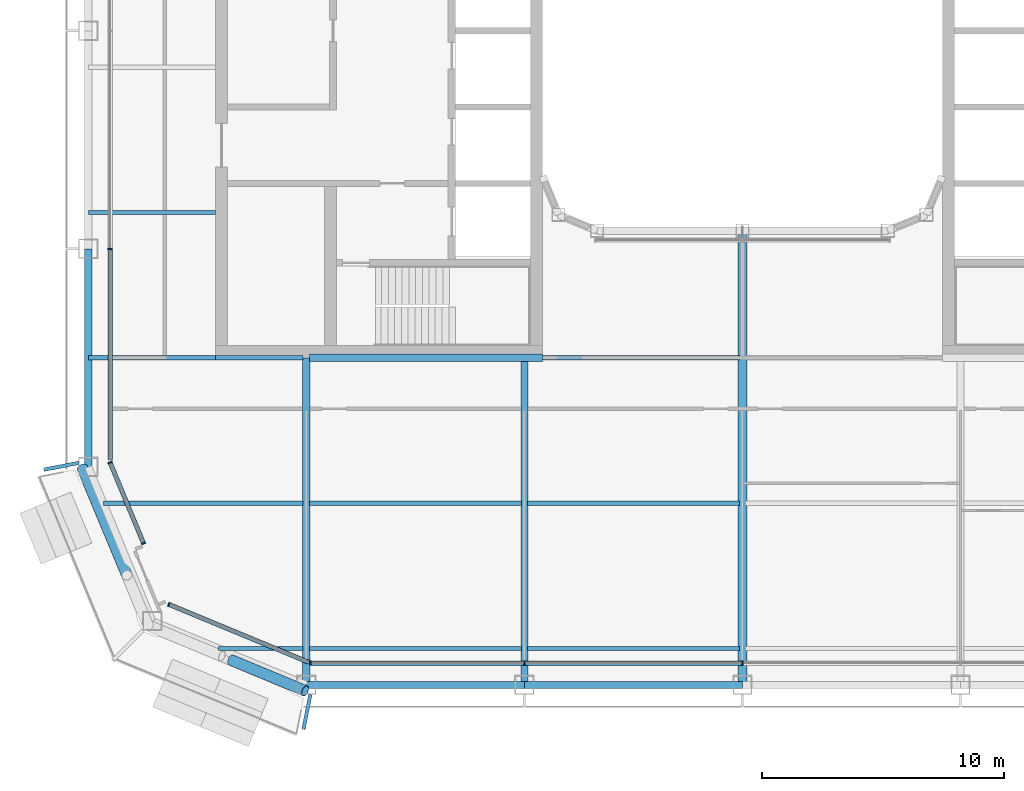
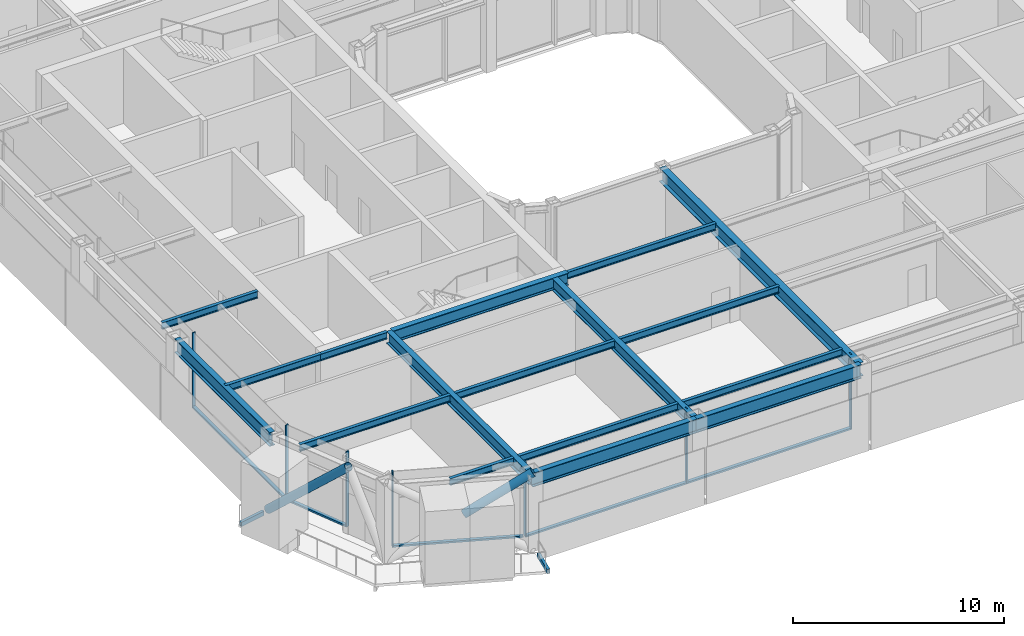
# One storey, part 2 of 23: 19 beams, 14 members, 4 elements without a shape of their own.
"""IFC4 building model written with IfcOpenShell, lengths in metres."""

import ifcopenshell
import ifcopenshell.guid

model = None  # the IFC model being written
_history = None  # IfcOwnerHistory: only IFC2X3 demands one
_inside = {}  # id of a spatial element -> (the spatial element, [elements in it])
_under = {}  # id of a project, library or spatial element -> (it, [spatial elements below it])
_declared = {}  # id of a project -> (the project, [libraries it declares])
_typed = {}  # id of a type object -> (the type object, [elements of that type])
_made_of = {}  # id of a material, layer set ... -> (it, [elements and type objects made of it])


def new_model(schema):
    """Start an empty IFC model of exactly this schema.

    Asked for "IFC4X3", IfcOpenShell would pick the latest addendum, in which some entities
    have other attributes; the version numbers below select the first issue.
    IFC2X3 requires an IfcOwnerHistory on every rooted entity: one is made here for all.
    """
    global model, _history
    if schema == "IFC4X3":
        model = ifcopenshell.file(schema_version=(4, 3, 0, 0))
    else:
        model = ifcopenshell.file(schema=schema)
    _inside.clear()
    _under.clear()
    _declared.clear()
    _typed.clear()
    _made_of.clear()
    _history = None
    if model.schema == "IFC2X3":
        org = make("IfcOrganization", Name="unknown")
        user = make(
            "IfcPersonAndOrganization",
            ThePerson=make("IfcPerson", FamilyName="unknown"),
            TheOrganization=org,
        )
        app = make(
            "IfcApplication",
            ApplicationDeveloper=org,
            Version="unknown",
            ApplicationFullName="unknown",
            ApplicationIdentifier="unknown",
        )
        _history = make(
            "IfcOwnerHistory",
            OwningUser=user,
            OwningApplication=app,
            ChangeAction="ADDED",
            CreationDate=0,
        )
    return model


def make(cls, **values):
    """One entity of the class cls with the attributes given. An attribute that is None is left unset."""
    return model.create_entity(
        cls, **{name: value for name, value in values.items() if value is not None}
    )


def rooted(cls, **values):
    """An entity with a GlobalId (a new one), such as an element, a storey or a relation."""
    return make(cls, GlobalId=ifcopenshell.guid.new(), OwnerHistory=_history, **values)


def si_unit(unit_type, name, prefix=None):
    """IfcSIUnit, for example si_unit("LENGTHUNIT", "METRE", prefix="MILLI")."""
    return make("IfcSIUnit", UnitType=unit_type, Prefix=prefix, Name=name)


def assignment(units):
    """IfcUnitAssignment: the units of a project."""
    return None if units is None else make("IfcUnitAssignment", Units=units)


def point(xyz):
    """IfcCartesianPoint."""
    return None if xyz is None else make("IfcCartesianPoint", Coordinates=xyz)


def direction(xyz):
    """IfcDirection."""
    return None if xyz is None else make("IfcDirection", DirectionRatios=xyz)


def frame(location, z_axis=None, x_axis=None):
    """IfcAxis2Placement3D, a coordinate frame: its origin and axes. An axis left out is left unset."""
    return make(
        "IfcAxis2Placement3D",
        Location=point(location),
        Axis=direction(z_axis),
        RefDirection=direction(x_axis),
    )


def frame_2d(location, x_axis=None):
    """IfcAxis2Placement2D, a coordinate frame in the plane: its origin and x axis."""
    return make(
        "IfcAxis2Placement2D", Location=point(location), RefDirection=direction(x_axis)
    )


def origin():
    """The frame at (0, 0, 0) with its axes left unset."""
    return frame((0.0, 0.0, 0.0))


def origin_2d():
    """The frame at (0, 0) in the plane with its x axis left unset."""
    return frame_2d((0.0, 0.0))


def place(relative_to, where):
    """IfcLocalPlacement: puts the frame where relative to a parent placement (None: the world)."""
    return make(
        "IfcLocalPlacement", PlacementRelTo=relative_to, RelativePlacement=where
    )


def context(
    kind, dimensions, precision=None, world=None, true_north=None, identifier=None
):
    """IfcGeometricRepresentationContext, for example the 3D "Model" context."""
    return make(
        "IfcGeometricRepresentationContext",
        ContextIdentifier=identifier,
        ContextType=kind,
        CoordinateSpaceDimension=dimensions,
        Precision=precision,
        WorldCoordinateSystem=world,
        TrueNorth=true_north,
    )


def subcontext(parent, identifier, kind, view, scale=None):
    """IfcGeometricRepresentationSubContext, for example "Body" below "Model"."""
    return make(
        "IfcGeometricRepresentationSubContext",
        ContextIdentifier=identifier,
        ContextType=kind,
        ParentContext=parent,
        TargetScale=scale,
        TargetView=view,
    )


def project(units=None, contexts=None):
    """IfcProject with its units and contexts."""
    return rooted(
        "IfcProject",
        Name="project",
        RepresentationContexts=contexts,
        UnitsInContext=assignment(units),
    )


def spatial(cls, under=None, at=None, **own):
    """A site, building, storey or space (cls), placed at a placement, below another one or the project."""
    s = rooted(cls, ObjectPlacement=at, **own)
    if under is not None:
        _under.setdefault(under.id(), (under, []))[1].append(s)
    return s


def profile(cls, at=None, kind="AREA", **sizes):
    """A parametric profile (cls). Its sizes go by their IFC names, for example OverallWidth=200.0."""
    return make(cls, ProfileType=kind, Position=at, **sizes)


def rectangle(**sizes):
    """IfcRectangleProfileDef."""
    return profile("IfcRectangleProfileDef", **sizes)


def hollow_rectangle(**sizes):
    """IfcRectangleHollowProfileDef."""
    return profile("IfcRectangleHollowProfileDef", **sizes)


def hollow_circle(**sizes):
    """IfcCircleHollowProfileDef."""
    return profile("IfcCircleHollowProfileDef", **sizes)


def i_section(**sizes):
    """IfcIShapeProfileDef."""
    return profile("IfcIShapeProfileDef", **sizes)


def extrude(swept, where, along, depth):
    """IfcExtrudedAreaSolid: the profile swept, set in the frame where, extruded along a direction by depth."""
    return make(
        "IfcExtrudedAreaSolid",
        SweptArea=swept,
        Position=where,
        ExtrudedDirection=direction(along),
        Depth=depth,
    )


def shape(context_of_items, identifier, shape_type, items):
    """IfcShapeRepresentation: the items that make up one representation, for example the "Body"."""
    return make(
        "IfcShapeRepresentation",
        ContextOfItems=context_of_items,
        RepresentationIdentifier=identifier,
        RepresentationType=shape_type,
        Items=items,
    )


def material(Name=None, Category=None):
    """IfcMaterial."""
    return make("IfcMaterial", Name=Name, Category=Category)


def layer(
    of_material, thickness, ventilated=None, Name=None, Category=None, Priority=None
):
    """IfcMaterialLayer: one layer of a wall or slab, of a material (None: an air gap)."""
    return make(
        "IfcMaterialLayer",
        Material=of_material,
        LayerThickness=thickness,
        IsVentilated=ventilated,
        Name=Name,
        Category=Category,
        Priority=Priority,
    )


def layer_set(layers, Name=None):
    """IfcMaterialLayerSet."""
    return make("IfcMaterialLayerSet", MaterialLayers=layers, LayerSetName=Name)


def material_profile(
    of_material, cross_section, Name=None, Category=None, Priority=None
):
    """IfcMaterialProfile: a cross section and its material."""
    return make(
        "IfcMaterialProfile",
        Name=Name,
        Material=of_material,
        Profile=cross_section,
        Priority=Priority,
        Category=Category,
    )


def profile_set(profiles, Name=None, composite=None):
    """IfcMaterialProfileSet."""
    return make(
        "IfcMaterialProfileSet",
        Name=Name,
        MaterialProfiles=profiles,
        CompositeProfile=composite,
    )


def made_of(thing, what):
    """Note that an element or type object is made of a material, layer set ...; save() writes the relation."""
    if what is not None:
        _made_of.setdefault(what.id(), (what, []))[1].append(thing)
    return thing


def type_object(cls, material=None, **own):
    """A type object (cls), such as IfcWallType, which elements share."""
    return made_of(rooted(cls, **own), material)


def element(
    cls,
    number,
    at=None,
    inside=None,
    cuts=None,
    type_object=None,
    material=None,
    context=None,
    identifier="Body",
    shape_type=None,
    held_by="IfcProductDefinitionShape",
    body=None,
    shapes=None,
    **own,
):
    """One element of the class cls, such as IfcWall. Its Tag is "e" and its number.

    at: its placement. inside: the storey or other place that contains it. cuts: it is an
    opening in that element (IfcRelVoidsElement). A single representation is given by context,
    identifier, shape_type and body (its items); several are given by shapes. held_by: the class
    of the entity that holds the representations. save() writes the other relations.
    """
    e = rooted(cls, Tag="e%d" % number, ObjectPlacement=at, **own)
    if body is not None:
        shapes = [shape(context, identifier, shape_type, body)]
    if shapes is not None:
        e.Representation = make(held_by, Representations=shapes)
    if inside is not None:
        _inside.setdefault(inside.id(), (inside, []))[1].append(e)
    if cuts is not None:
        rooted(
            "IfcRelVoidsElement", RelatingBuildingElement=cuts, RelatedOpeningElement=e
        )
    if type_object is not None:
        _typed.setdefault(type_object.id(), (type_object, []))[1].append(e)
    return made_of(e, material)


def aggregate(whole, parts):
    """IfcRelAggregates: a whole, such as a stair, and the parts it consists of."""
    return rooted("IfcRelAggregates", RelatingObject=whole, RelatedObjects=parts)


def save(model, path):
    """Write the relations noted so far, then the file.

    IfcRelAggregates (storeys below a building ...), IfcRelContainedInSpatialStructure (elements
    in a storey), IfcRelDefinesByType, IfcRelAssociatesMaterial and IfcRelDeclares: one each for
    every whole, place, type object, material and project.
    """
    for whole, parts in _under.values():
        aggregate(whole, parts)
    for where, things in _inside.values():
        rooted(
            "IfcRelContainedInSpatialStructure",
            RelatedElements=things,
            RelatingStructure=where,
        )
    for kind, things in _typed.values():
        rooted("IfcRelDefinesByType", RelatedObjects=things, RelatingType=kind)
    for what, things in _made_of.values():
        rooted("IfcRelAssociatesMaterial", RelatedObjects=things, RelatingMaterial=what)
    for by, libraries in _declared.values():
        rooted("IfcRelDeclares", RelatingContext=by, RelatedDefinitions=libraries)
    model.write(path)


model = new_model("IFC4")

# Units and contexts
model_context = context("Model", 3, precision=1e-05, world=origin(), true_north=direction((0.0, 1.0)))
body_context = subcontext(model_context, "Body", "Model", "MODEL_VIEW")
ifc_project = project(units=[si_unit("LENGTHUNIT", "METRE"), si_unit("AREAUNIT", "SQUARE_METRE"), si_unit("VOLUMEUNIT", "CUBIC_METRE"), si_unit("PLANEANGLEUNIT", "RADIAN"), si_unit("MASSUNIT", "GRAM", prefix="KILO")], contexts=[model_context])

# Site, building, storey
site_placement = place(None, origin())
site = spatial("IfcSite", under=ifc_project, at=site_placement, CompositionType="ELEMENT")
building_placement = place(site_placement, origin())
building = spatial("IfcBuilding", under=site, at=building_placement, Name="Siwar Civic Tower", CompositionType="ELEMENT")
storey_placement = place(building_placement, frame((0.0, 0.0, 269.199951171875)))
storey = spatial("IfcBuildingStorey", under=building, at=storey_placement, Name="L58", CompositionType="ELEMENT", Elevation=269.199951171875)

# Beams
ifc_material_1 = material(Name="Steel S355", Category="steel")
ifc_material_profile_1 = material_profile(ifc_material_1, hollow_rectangle(XDim=0.14990234375, YDim=0.25, WallThickness=0.010009765625, at=origin_2d()), Name="RHS250x150x10")
ifc_profile_set_1 = profile_set([ifc_material_profile_1], Name="Steel S355")
beam_type_1 = type_object("IfcBeamType", Name="ENV-BALCONY ARM", PredefinedType="BEAM", material=ifc_profile_set_1)
for number, where, z_axis, x_axis, name in (
    (1, (-27.39990234375, -17.8349609375, -0.27490234375), (-0.980794792252, -0.195042496631, 0.0), (0.195042496631, -0.980794792252, 0.0), "Balcony cantilever beam SW 1"),
    (2, (-17.8349609375, -27.39990234375, -0.27490234375), (-0.195042496631, -0.980794792252, 0.0), (0.980794792252, -0.195042496631, 0.0), "Balcony cantilever beam SW 3"),
):
    element("IfcBeam", number, at=place(storey_placement, frame(where, z_axis=z_axis, x_axis=x_axis)), inside=storey, type_object=beam_type_1, Name=name, PredefinedType="BEAM", context=body_context, shape_type="SweptSolid", body=[
        extrude(hollow_rectangle(XDim=0.14990234375, YDim=0.25, WallThickness=0.010009765625, at=origin_2d()), origin(), (0.0, 0.0, 1.0), 1.443359375),
    ])

# Curtain wall, members
ifc_material_2 = material(Name="Aluminium and glass", Category="aluminium")
ifc_layer_1 = layer(ifc_material_2, 0.179931640625)
ifc_layer_set_1 = layer_set([ifc_layer_1], Name="Aluminium and glass")
curtain_wall_type_1 = type_object("IfcCurtainWallType", Name="ENV-CW-C", PredefinedType="NOTDEFINED", material=ifc_layer_set_1)
curtain_wall_1_placement = place(storey_placement, origin())
curtain_wall_1 = element("IfcCurtainWall", 3, at=curtain_wall_1_placement, inside=storey, type_object=curtain_wall_type_1, Name="Curtain wall C S", PredefinedType="NOTDEFINED")
ifc_material_3 = material(Name="Aluminium 6063-T6", Category="aluminium")
ifc_material_profile_2 = material_profile(ifc_material_3, rectangle(XDim=0.179931640625, YDim=0.06005859375, at=origin_2d()), Name="AL 180x60")
ifc_profile_set_2 = profile_set([ifc_material_profile_2], Name="Aluminium 6063-T6")
member_type_1 = type_object("IfcMemberType", Name="ENV-MULLION-C", PredefinedType="MULLION", material=ifc_profile_set_2)
member_1_placement = place(storey_placement, frame((-17.821044921875, -26.10009765625, 0.0), z_axis=(0.0, 0.0, 1.0), x_axis=(0.0, 1.0, 0.0)))
member_1 = element("IfcMember", 4, at=member_1_placement, type_object=member_type_1, Name="Mullion C S 1", PredefinedType="MULLION", context=body_context, shape_type="SweptSolid", body=[
    extrude(rectangle(XDim=0.179931640625, YDim=0.06005859375, at=origin_2d()), origin(), (0.0, 0.0, 1.0), 4.35009765625),
])
member_2_placement = place(storey_placement, frame((-9.0, -26.10009765625, 0.0), z_axis=(0.0, 0.0, 1.0), x_axis=(0.0, 1.0, 0.0)))
member_2 = element("IfcMember", 5, at=member_2_placement, type_object=member_type_1, Name="Mullion C S 2", PredefinedType="MULLION", context=body_context, shape_type="SweptSolid", body=[
    extrude(rectangle(XDim=0.179931640625, YDim=0.06005859375, at=origin_2d()), origin(), (0.0, 0.0, 1.0), 4.35009765625),
])
member_3_placement = place(storey_placement, frame((0.0, -26.10009765625, 0.0), z_axis=(0.0, 0.0, 1.0), x_axis=(0.0, 1.0, 0.0)))
member_3 = element("IfcMember", 6, at=member_3_placement, type_object=member_type_1, Name="Mullion C S 3", PredefinedType="MULLION", context=body_context, shape_type="SweptSolid", body=[
    extrude(rectangle(XDim=0.179931640625, YDim=0.06005859375, at=origin_2d()), origin(), (0.0, 0.0, 1.0), 4.35009765625),
])

# Curtain wall, member
curtain_wall_2_placement = place(storey_placement, origin())
curtain_wall_2 = element("IfcCurtainWall", 7, at=curtain_wall_2_placement, inside=storey, type_object=curtain_wall_type_1, Name="Curtain wall C W", PredefinedType="NOTDEFINED")
member_4_placement = place(storey_placement, frame((-26.10009765625, -9.0, 0.0), z_axis=(0.0, 0.0, 1.0), x_axis=(1.0, 0.0, 0.0)))
member_4 = element("IfcMember", 8, at=member_4_placement, type_object=member_type_1, Name="Mullion C W 4", PredefinedType="MULLION", context=body_context, shape_type="SweptSolid", body=[
    extrude(rectangle(XDim=0.179931640625, YDim=0.06005859375, at=origin_2d()), origin(), (0.0, 0.0, 1.0), 4.35009765625),
])

# Curtain wall, members
ifc_material_4 = material(Name="Aluminium clad insulated panel", Category="aluminium")
ifc_layer_2 = layer(ifc_material_4, 0.179931640625)
ifc_layer_set_2 = layer_set([ifc_layer_2], Name="Aluminium clad insulated panel")
curtain_wall_type_2 = type_object("IfcCurtainWallType", Name="ENV-CW-CX", PredefinedType="NOTDEFINED", material=ifc_layer_set_2)
curtain_wall_3_placement = place(storey_placement, origin())
curtain_wall_3 = element("IfcCurtainWall", 9, at=curtain_wall_3_placement, inside=storey, type_object=curtain_wall_type_2, Name="Curtain wall C SW1", PredefinedType="NOTDEFINED")
member_5_placement = place(storey_placement, frame((-26.10009765625, -17.821044921875, 0.0), z_axis=(0.0, 0.0, 1.0), x_axis=(0.923879532511, 0.382683432365, 0.0)))
member_5 = element("IfcMember", 10, at=member_5_placement, type_object=member_type_1, Name="Mullion C SW1 1", PredefinedType="MULLION", context=body_context, shape_type="SweptSolid", body=[
    extrude(rectangle(XDim=0.179931640625, YDim=0.06005859375, at=origin_2d()), origin(), (0.0, 0.0, 1.0), 4.35009765625),
])
member_6_placement = place(storey_placement, frame((-24.719482421875, -21.153564453125, 0.0), z_axis=(0.0, 0.0, 1.0), x_axis=(0.923879532511, 0.382683432365, 0.0)))
member_6 = element("IfcMember", 11, at=member_6_placement, type_object=member_type_1, Name="Mullion C SW1 2", PredefinedType="MULLION", context=body_context, shape_type="SweptSolid", body=[
    extrude(rectangle(XDim=0.179931640625, YDim=0.06005859375, at=origin_2d()), origin(), (0.0, 0.0, 1.0), 4.35009765625),
])

# Curtain wall, member
curtain_wall_4_placement = place(storey_placement, origin())
curtain_wall_4 = element("IfcCurtainWall", 12, at=curtain_wall_4_placement, inside=storey, type_object=curtain_wall_type_2, Name="Curtain wall C SW2", PredefinedType="NOTDEFINED")
member_7_placement = place(storey_placement, frame((-23.675048828125, -23.675048828125, 0.0), z_axis=(0.0, 0.0, 1.0), x_axis=(0.382683432365, 0.923879532511, 0.0)))
member_7 = element("IfcMember", 13, at=member_7_placement, type_object=member_type_1, Name="Mullion C SW2 1", PredefinedType="MULLION", context=body_context, shape_type="SweptSolid", body=[
    extrude(rectangle(XDim=0.179931640625, YDim=0.06005859375, at=origin_2d()), origin(), (0.0, 0.0, 1.0), 4.35009765625),
])

# Member
ifc_material_5 = material(Name="Aluminium 6063-T6", Category="aluminium")
ifc_material_profile_3 = material_profile(ifc_material_5, rectangle(XDim=0.179931640625, YDim=0.10009765625, at=origin_2d()), Name="AL 180x100")
ifc_profile_set_3 = profile_set([ifc_material_profile_3], Name="Aluminium 6063-T6")
member_type_2 = type_object("IfcMemberType", Name="ENV-TRANSOM-C", PredefinedType="USERDEFINED", material=ifc_profile_set_3)
member_8_placement = place(storey_placement, frame((-17.791015625, -26.10009765625, 0.050048828125), z_axis=(1.0, 0.0, 0.0), x_axis=(0.0, 1.0, 0.0)))
member_8 = element("IfcMember", 14, at=member_8_placement, type_object=member_type_2, Name="Transom C S 1", ObjectType="TRANSOM", PredefinedType="USERDEFINED", context=body_context, shape_type="SweptSolid", body=[
    extrude(rectangle(XDim=0.179931640625, YDim=0.10009765625, at=origin_2d()), origin(), (0.0, 0.0, 1.0), 8.760986328125),
])

member_9_placement = place(storey_placement, frame((-8.969970703125, -26.10009765625, 0.050048828125), z_axis=(1.0, 0.0, 0.0), x_axis=(0.0, 1.0, 0.0)))
member_9 = element("IfcMember", 15, at=member_9_placement, type_object=member_type_2, Name="Transom C S 2", ObjectType="TRANSOM", PredefinedType="USERDEFINED", context=body_context, shape_type="SweptSolid", body=[
    extrude(rectangle(XDim=0.179931640625, YDim=0.10009765625, at=origin_2d()), origin(), (0.0, 0.0, 1.0), 8.93994140625),
])

aggregate(curtain_wall_1, [member_1, member_2, member_3, member_8, member_9])

member_10_placement = place(storey_placement, frame((-26.10009765625, -9.030029296875, 0.050048828125), z_axis=(0.0, -1.0, 0.0), x_axis=(1.0, 0.0, 0.0)))
member_10 = element("IfcMember", 16, at=member_10_placement, type_object=member_type_2, Name="Transom C W 4", ObjectType="TRANSOM", PredefinedType="USERDEFINED", context=body_context, shape_type="SweptSolid", body=[
    extrude(rectangle(XDim=0.179931640625, YDim=0.10009765625, at=origin_2d()), origin(), (0.0, 0.0, 1.0), 8.68603515625),
])

aggregate(curtain_wall_2, [member_4, member_10])

member_11_placement = place(storey_placement, frame((-26.088623046875, -17.8486328125, 0.050048828125), z_axis=(0.3827185099, -0.92386500214, 0.0), x_axis=(0.92386500214, 0.3827185099, 0.0)))
member_11 = element("IfcMember", 17, at=member_11_placement, type_object=member_type_2, Name="Transom C SW1 1", ObjectType="TRANSOM", PredefinedType="USERDEFINED", context=body_context, shape_type="SweptSolid", body=[
    extrude(rectangle(XDim=0.179931640625, YDim=0.10009765625, at=origin_2d()), origin(), (0.0, 0.0, 1.0), 3.54736328125),
])

aggregate(curtain_wall_3, [member_5, member_6, member_11])

member_12_placement = place(storey_placement, frame((-23.6474609375, -23.6865234375, 0.050048828125), z_axis=(0.923876246063, -0.382691366456, 0.0), x_axis=(0.382691366456, 0.923876246063, 0.0)))
member_12 = element("IfcMember", 18, at=member_12_placement, type_object=member_type_2, Name="Transom C SW2 1", ObjectType="TRANSOM", PredefinedType="USERDEFINED", context=body_context, shape_type="SweptSolid", body=[
    extrude(rectangle(XDim=0.179931640625, YDim=0.10009765625, at=origin_2d()), origin(), (0.0, 0.0, 1.0), 6.20166015625),
])

aggregate(curtain_wall_4, [member_7, member_12])

# Members
ifc_material_6 = material(Name="Steel S355", Category="steel")
ifc_material_profile_4 = material_profile(ifc_material_6, hollow_circle(Radius=0.228515625, WallThickness=0.02001953125, at=origin_2d()), Name="CHS457x20")
ifc_profile_set_4 = profile_set([ifc_material_profile_4], Name="Steel S355")
member_type_3 = type_object("IfcMemberType", Name="STR-BR-CHS457x20", PredefinedType="BRACE", material=ifc_profile_set_4)
member_13_placement = place(storey_placement, frame((-21.10302734375, -25.972900390625, 2.383056640625), z_axis=(0.777572496853, -0.323895306243, 0.538955325357), x_axis=(0.38452107079, 0.92311621485, 0.0)))
element("IfcMember", 19, at=member_13_placement, inside=storey, type_object=member_type_3, Name="L58/brc/CSW1-18-0-3", PredefinedType="BRACE", context=body_context, shape_type="SweptSolid", body=[
    extrude(hollow_circle(Radius=0.228515625, WallThickness=0.02001953125, at=origin_2d()), origin(), (0.0, 0.0, 1.0), 3.927978515625),
])
member_14_placement = place(storey_placement, frame((-27.2451171875, -18.048828125, 0.0), z_axis=(0.280310719993, -0.672864582402, 0.684601456328), x_axis=(0.923101041979, 0.384557494138, 0.0)))
element("IfcMember", 20, at=member_14_placement, inside=storey, type_object=member_type_3, Name="L58/brc/CSW1-18-0-0", PredefinedType="BRACE", context=body_context, shape_type="SweptSolid", body=[
    extrude(hollow_circle(Radius=0.228515625, WallThickness=0.02001953125, at=origin_2d()), origin(), (0.0, 0.0, 1.0), 6.5732421875),
])

# Beams
ifc_material_7 = material(Name="Steel S355", Category="steel")
ifc_material_profile_5 = material_profile(ifc_material_7, i_section(OverallWidth=0.179931640625, OverallDepth=0.39990234375, WebThickness=0.008544921875, FlangeThickness=0.013427734375, FilletRadius=0.02099609375, at=origin_2d()), Name="IPE400")
ifc_profile_set_5 = profile_set([ifc_material_profile_5], Name="Steel S355")
beam_type_2 = type_object("IfcBeamType", Name="STR-FB-IPE400", PredefinedType="JOIST", material=ifc_profile_set_5)
beam_1_placement = place(storey_placement, frame((-21.621337890625, -25.5, 4.150146484375), z_axis=(1.0, 0.0, 0.0), x_axis=(0.0, 1.0, 0.0)))
element("IfcBeam", 21, at=beam_1_placement, inside=storey, type_object=beam_type_2, Name="L58/bm/F001", PredefinedType="JOIST", context=body_context, shape_type="SweptSolid", body=[
    extrude(i_section(OverallWidth=0.179931640625, OverallDepth=0.39990234375, WebThickness=0.008544921875, FlangeThickness=0.013427734375, FilletRadius=0.02099609375, at=origin_2d()), origin(), (0.0, 0.0, 1.0), 3.491455078125),
])
for number, where, z_axis, x_axis, name in (
    (22, (-17.8701171875, -25.5, 4.150146484375), (1.0, 0.0, 0.0), (0.0, 1.0, 0.0), "L58/bm/F002"),
    (23, (-8.8701171875, -25.5, 4.150146484375), (1.0, 0.0, 0.0), (0.0, 1.0, 0.0), "L58/bm/F003"),
):
    element("IfcBeam", number, at=place(storey_placement, frame(where, z_axis=z_axis, x_axis=x_axis)), inside=storey, type_object=beam_type_2, Name=name, PredefinedType="JOIST", context=body_context, shape_type="SweptSolid", body=[
        extrude(i_section(OverallWidth=0.179931640625, OverallDepth=0.39990234375, WebThickness=0.008544921875, FlangeThickness=0.013427734375, FilletRadius=0.02099609375, at=origin_2d()), origin(), (0.0, 0.0, 1.0), 8.740234375),
    ])
beam_2_placement = place(storey_placement, frame((-26.378662109375, -19.5, 4.150146484375), z_axis=(1.0, 0.0, 0.0), x_axis=(0.0, 1.0, 0.0)))
element("IfcBeam", 24, at=beam_2_placement, inside=storey, type_object=beam_type_2, Name="L58/bm/F007", PredefinedType="JOIST", context=body_context, shape_type="SweptSolid", body=[
    extrude(i_section(OverallWidth=0.179931640625, OverallDepth=0.39990234375, WebThickness=0.008544921875, FlangeThickness=0.013427734375, FilletRadius=0.02099609375, at=origin_2d()), origin(), (0.0, 0.0, 1.0), 8.248779296875),
])
for number, where, z_axis, x_axis, name in (
    (25, (-17.8701171875, -19.5, 4.150146484375), (1.0, 0.0, 0.0), (0.0, 1.0, 0.0), "L58/bm/F008"),
    (26, (-8.8701171875, -19.5, 4.150146484375), (1.0, 0.0, 0.0), (0.0, 1.0, 0.0), "L58/bm/F009"),
):
    element("IfcBeam", number, at=place(storey_placement, frame(where, z_axis=z_axis, x_axis=x_axis)), inside=storey, type_object=beam_type_2, Name=name, PredefinedType="JOIST", context=body_context, shape_type="SweptSolid", body=[
        extrude(i_section(OverallWidth=0.179931640625, OverallDepth=0.39990234375, WebThickness=0.008544921875, FlangeThickness=0.013427734375, FilletRadius=0.02099609375, at=origin_2d()), origin(), (0.0, 0.0, 1.0), 8.740234375),
    ])
beam_3_placement = place(storey_placement, frame((-27.0, -13.5, 4.150146484375), z_axis=(1.0, 0.0, 0.0), x_axis=(0.0, 1.0, 0.0)))
element("IfcBeam", 27, at=beam_3_placement, inside=storey, type_object=beam_type_2, Name="L58/bm/F013", PredefinedType="JOIST", context=body_context, shape_type="SweptSolid", body=[
    extrude(i_section(OverallWidth=0.179931640625, OverallDepth=0.39990234375, WebThickness=0.008544921875, FlangeThickness=0.013427734375, FilletRadius=0.02099609375, at=origin_2d()), origin(), (0.0, 0.0, 1.0), 5.25),
])
beam_4_placement = place(storey_placement, frame((-21.75, -13.5, 4.150146484375), z_axis=(1.0, 0.0, 0.0), x_axis=(0.0, 1.0, 0.0)))
element("IfcBeam", 28, at=beam_4_placement, inside=storey, type_object=beam_type_2, Name="L58/bm/F014", PredefinedType="JOIST", context=body_context, shape_type="SweptSolid", body=[
    extrude(i_section(OverallWidth=0.179931640625, OverallDepth=0.39990234375, WebThickness=0.008544921875, FlangeThickness=0.013427734375, FilletRadius=0.02099609375, at=origin_2d()), origin(), (0.0, 0.0, 1.0), 3.6201171875),
])
beam_5_placement = place(storey_placement, frame((-8.25, -13.5, 4.150146484375), z_axis=(1.0, 0.0, 0.0), x_axis=(0.0, 1.0, 0.0)))
element("IfcBeam", 29, at=beam_5_placement, inside=storey, type_object=beam_type_2, Name="L58/bm/F016", PredefinedType="JOIST", context=body_context, shape_type="SweptSolid", body=[
    extrude(i_section(OverallWidth=0.179931640625, OverallDepth=0.39990234375, WebThickness=0.008544921875, FlangeThickness=0.013427734375, FilletRadius=0.02099609375, at=origin_2d()), origin(), (0.0, 0.0, 1.0), 8.1201171875),
])
beam_6_placement = place(storey_placement, frame((-27.0, -7.5, 4.150146484375), z_axis=(1.0, 0.0, 0.0), x_axis=(0.0, 1.0, 0.0)))
element("IfcBeam", 30, at=beam_6_placement, inside=storey, type_object=beam_type_2, Name="L58/bm/F021", PredefinedType="JOIST", context=body_context, shape_type="SweptSolid", body=[
    extrude(i_section(OverallWidth=0.179931640625, OverallDepth=0.39990234375, WebThickness=0.008544921875, FlangeThickness=0.013427734375, FilletRadius=0.02099609375, at=origin_2d()), origin(), (0.0, 0.0, 1.0), 5.25),
])
ifc_material_8 = material(Name="Steel S355", Category="steel")
ifc_material_profile_6 = material_profile(ifc_material_8, i_section(OverallWidth=0.300048828125, OverallDepth=0.699951171875, WebThickness=0.01708984375, FlangeThickness=0.031982421875, FilletRadius=0.027099609375, at=origin_2d()), Name="HEB700")
ifc_profile_set_6 = profile_set([ifc_material_profile_6], Name="Steel S355")
beam_type_3 = type_object("IfcBeamType", Name="STR-PG-HEB700", PredefinedType="BEAM", material=ifc_profile_set_6)
for number, where, z_axis, x_axis, name in (
    (31, (-18.0, -27.0, 4.0), (0.0, 1.0, 0.0), (-1.0, 0.0, 0.0), "L58/bm/G01"),
    (32, (-9.0, -27.0, 4.0), (0.0, 1.0, 0.0), (-1.0, 0.0, 0.0), "L58/bm/G03"),
):
    element("IfcBeam", number, at=place(storey_placement, frame(where, z_axis=z_axis, x_axis=x_axis)), inside=storey, type_object=beam_type_3, Name=name, PredefinedType="BEAM", context=body_context, shape_type="SweptSolid", body=[
        extrude(i_section(OverallWidth=0.300048828125, OverallDepth=0.699951171875, WebThickness=0.01708984375, FlangeThickness=0.031982421875, FilletRadius=0.027099609375, at=origin_2d()), origin(), (0.0, 0.0, 1.0), 13.5),
    ])
beam_7_placement = place(storey_placement, frame((-17.8701171875, -13.5, 4.0), z_axis=(1.0, 0.0, 0.0), x_axis=(0.0, 1.0, 0.0)))
element("IfcBeam", 33, at=beam_7_placement, inside=storey, type_object=beam_type_3, Name="L58/bm/F015", PredefinedType="BEAM", context=body_context, shape_type="SweptSolid", body=[
    extrude(i_section(OverallWidth=0.300048828125, OverallDepth=0.699951171875, WebThickness=0.01708984375, FlangeThickness=0.031982421875, FilletRadius=0.027099609375, at=origin_2d()), origin(), (0.0, 0.0, 1.0), 9.6201171875),
])
ifc_material_9 = material(Name="Steel S355", Category="steel")
ifc_material_profile_7 = material_profile(ifc_material_9, i_section(OverallWidth=0.360107421875, OverallDepth=0.800048828125, WebThickness=0.013916015625, FlangeThickness=0.031982421875, at=origin_2d()), Name="PG800x360x14x32")
ifc_profile_set_7 = profile_set([ifc_material_profile_7], Name="Steel S355")
beam_type_4 = type_object("IfcBeamType", Name="STR-PG-PG800x360x14x32", PredefinedType="BEAM", material=ifc_profile_set_7)
beam_8_placement = place(storey_placement, frame((0.0, -27.0, 3.949951171875), z_axis=(0.0, 1.0, 0.0), x_axis=(-1.0, 0.0, 0.0)))
element("IfcBeam", 34, at=beam_8_placement, inside=storey, type_object=beam_type_4, Name="L58/bm/G05", PredefinedType="BEAM", context=body_context, shape_type="SweptSolid", body=[
    extrude(i_section(OverallWidth=0.360107421875, OverallDepth=0.800048828125, WebThickness=0.013916015625, FlangeThickness=0.031982421875, at=origin_2d()), origin(), (0.0, 0.0, 1.0), 18.75),
])
ifc_material_10 = material(Name="Steel S355", Category="steel")
ifc_material_profile_8 = material_profile(ifc_material_10, i_section(OverallWidth=0.300048828125, OverallDepth=0.800048828125, WebThickness=0.017578125, FlangeThickness=0.032958984375, FilletRadius=0.030029296875, at=origin_2d()), Name="HEB800")
ifc_profile_set_8 = profile_set([ifc_material_profile_8], Name="Steel S355")
beam_type_5 = type_object("IfcBeamType", Name="STR-SB-HEB800", PredefinedType="BEAM", material=ifc_profile_set_8)
for number, where, z_axis, x_axis, name in (
    (35, (-18.0, -27.0, 3.949951171875), (1.0, 0.0, 0.0), (0.0, 1.0, 0.0), "L58/bm/SS-0"),
    (36, (-9.0, -27.0, 3.949951171875), (1.0, 0.0, 0.0), (0.0, 1.0, 0.0), "L58/bm/SS-1"),
    (37, (-27.0, -9.0, 3.949951171875), (0.0, -1.0, 0.0), (1.0, 0.0, 0.0), "L58/bm/SW-3"),
):
    element("IfcBeam", number, at=place(storey_placement, frame(where, z_axis=z_axis, x_axis=x_axis)), inside=storey, type_object=beam_type_5, Name=name, PredefinedType="BEAM", context=body_context, shape_type="SweptSolid", body=[
        extrude(i_section(OverallWidth=0.300048828125, OverallDepth=0.800048828125, WebThickness=0.017578125, FlangeThickness=0.032958984375, FilletRadius=0.030029296875, at=origin_2d()), origin(), (0.0, 0.0, 1.0), 9.0),
    ])

save(model, "model.ifc")
